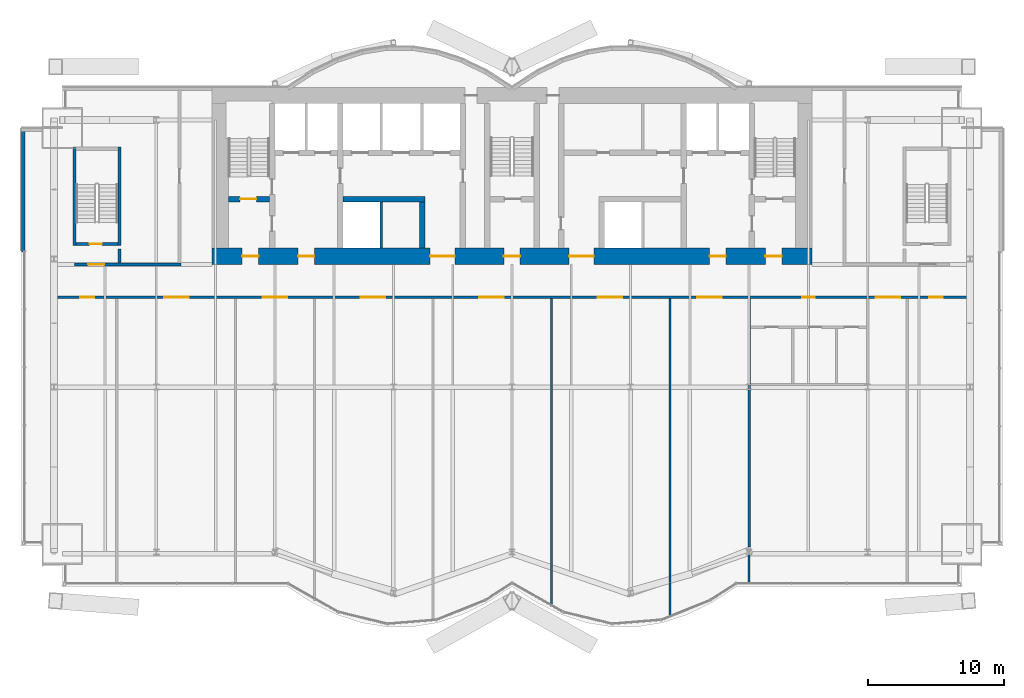
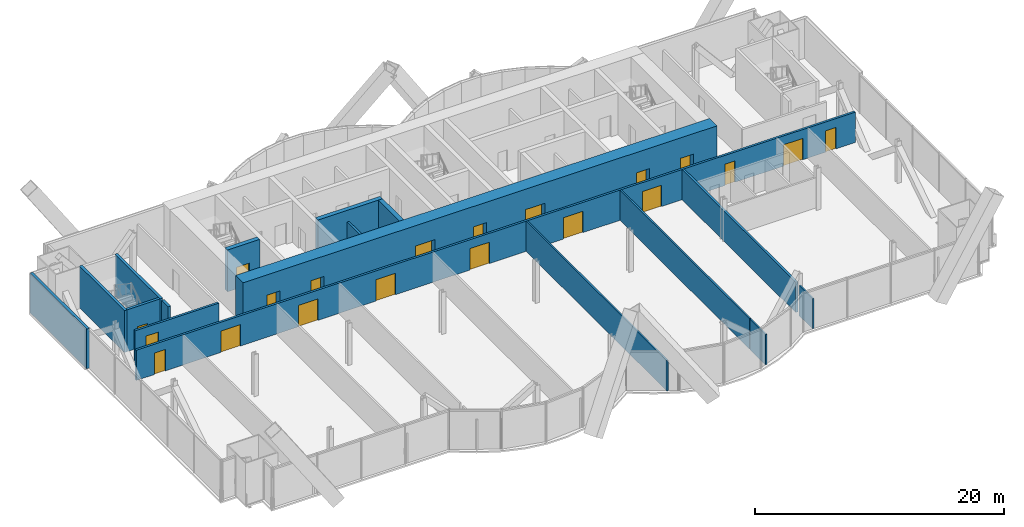
# One storey, part 15 of 21: 20 doors, 17 walls, 20 openings.
"""IFC4 building model written with IfcOpenShell, lengths in metres."""

from ifc_helpers import new_model, si_unit, direction, frame, frame_2d, origin, place, context, subcontext, project, spatial, rectangle, extrude, material, layer, layer_set, layer_usage, type_object, element, fill, save


model = new_model("IFC4")

# Units and contexts
model_context = context("Model", 3, precision=1e-05, world=origin(), true_north=direction((0.0, 1.0)))
body_context = subcontext(model_context, "Body", "Model", "MODEL_VIEW")
ifc_project = project(units=[si_unit("LENGTHUNIT", "METRE"), si_unit("AREAUNIT", "SQUARE_METRE"), si_unit("VOLUMEUNIT", "CUBIC_METRE"), si_unit("PLANEANGLEUNIT", "RADIAN"), si_unit("MASSUNIT", "GRAM", prefix="KILO")], contexts=[model_context])

# Site, building, storey
site_placement = place(None, origin())
site = spatial("IfcSite", under=ifc_project, at=site_placement, CompositionType="ELEMENT")
building_placement = place(site_placement, origin())
building = spatial("IfcBuilding", under=site, at=building_placement, Name="Bicima Exchange Tower", CompositionType="ELEMENT")
storey_placement = place(building_placement, frame((0.0, 0.0, 130.89990234375)))
storey = spatial("IfcBuildingStorey", under=building, at=storey_placement, Name="L28", CompositionType="ELEMENT", Elevation=130.89990234375)

# Wall
ifc_material_1 = material(Name="Gypsum board partition")
ifc_layer_1 = layer(ifc_material_1, 0.199951171875)
ifc_layer_set_1 = layer_set([ifc_layer_1], Name="Gypsum board partition")
wall_type_1 = type_object("IfcWallType", Name="Fire-rated gypsum partition 200 EI120", PredefinedType="PARTITIONING", material=ifc_layer_set_1)
wall_1_placement = place(storey_placement, frame((-9.60009765625, -11.800048828125, 0.0), z_axis=(0.0, 0.0, 1.0), x_axis=(0.0, 1.0, 0.0)))
element("IfcWall", 1, at=wall_1_placement, inside=storey, type_object=wall_type_1, Name="partition wall 11", PredefinedType="PARTITIONING", context=body_context, shape_type="SweptSolid", body=[
    extrude(rectangle(XDim=3.400146484375, YDim=0.199951171875, at=frame_2d((1.7001953125, 0.0))), origin(), (0.0, 0.0, 1.0), 2.96826171875),
])

# Wall, openings, doors
ifc_layer_2 = layer(ifc_material_1, 0.199951171875)
ifc_layer_set_2 = layer_set([ifc_layer_2], Name="Gypsum board partition")
wall_type_2 = type_object("IfcWallType", Name="Fire-rated gypsum partition 200 EI60", PredefinedType="PARTITIONING", material=ifc_layer_set_2)
wall_2_placement = place(storey_placement, frame((-33.3701171875, -15.39990234375, 0.0), z_axis=(0.0, 0.0, 1.0), x_axis=(1.0, 0.0, 0.0)))
wall_2 = element("IfcWall", 2, at=wall_2_placement, inside=storey, type_object=wall_type_2, Name="partition wall 3", PredefinedType="PARTITIONING", context=body_context, shape_type="SweptSolid", body=[
    extrude(rectangle(XDim=66.740234375, YDim=0.199951171875, at=frame_2d((33.3701171875, 0.0))), origin(), (0.0, 0.0, 1.0), 2.96826171875),
])
opening_1_placement = place(wall_2_placement, frame((1.699951171875, 0.0, 0.0)))
opening_1 = element("IfcOpeningElement", 3, at=opening_1_placement, cuts=wall_2, Name="Opening L28-007", PredefinedType="OPENING", context=body_context, shape_type="SweptSolid", body=[
    extrude(rectangle(XDim=1.0, YDim=2.10009765625, at=frame_2d((0.5, 1.050048828125))), frame((0.0, 0.11181640625, 0.0), z_axis=(0.0, -1.0, 0.0), x_axis=(1.0, 0.0, 0.0)), (0.0, 0.0, 1.0), 0.223876953125),
])
opening_2_placement = place(wall_2_placement, frame((7.8701171875, 0.0, 0.0)))
opening_2 = element("IfcOpeningElement", 4, at=opening_2_placement, cuts=wall_2, Name="Opening L28-008", PredefinedType="OPENING", context=body_context, shape_type="SweptSolid", body=[
    extrude(rectangle(XDim=1.800048828125, YDim=2.10009765625, at=frame_2d((0.89990234375, 1.050048828125))), frame((0.0, 0.11181640625, 0.0), z_axis=(0.0, -1.0, 0.0), x_axis=(1.0, 0.0, 0.0)), (0.0, 0.0, 1.0), 0.223876953125),
])
opening_3_placement = place(wall_2_placement, frame((15.070068359375, 0.0, 0.0)))
opening_3 = element("IfcOpeningElement", 5, at=opening_3_placement, cuts=wall_2, Name="Opening L28-009", PredefinedType="OPENING", context=body_context, shape_type="SweptSolid", body=[
    extrude(rectangle(XDim=1.800048828125, YDim=2.10009765625, at=frame_2d((0.89990234375, 1.050048828125))), frame((0.0, 0.11181640625, 0.0), z_axis=(0.0, -1.0, 0.0), x_axis=(1.0, 0.0, 0.0)), (0.0, 0.0, 1.0), 0.223876953125),
])
opening_4_placement = place(wall_2_placement, frame((22.27001953125, 0.0, 0.0)))
opening_4 = element("IfcOpeningElement", 6, at=opening_4_placement, cuts=wall_2, Name="Opening L28-010", PredefinedType="OPENING", context=body_context, shape_type="SweptSolid", body=[
    extrude(rectangle(XDim=1.800048828125, YDim=2.10009765625, at=frame_2d((0.89990234375, 1.050048828125))), frame((0.0, 0.11181640625, 0.0), z_axis=(0.0, -1.0, 0.0), x_axis=(1.0, 0.0, 0.0)), (0.0, 0.0, 1.0), 0.223876953125),
])
opening_5_placement = place(wall_2_placement, frame((30.969970703125, 0.0, 0.0)))
opening_5 = element("IfcOpeningElement", 7, at=opening_5_placement, cuts=wall_2, Name="Opening L28-011", PredefinedType="OPENING", context=body_context, shape_type="SweptSolid", body=[
    extrude(rectangle(XDim=1.800048828125, YDim=2.10009765625, at=frame_2d((0.89990234375, 1.050048828125))), frame((0.0, 0.11181640625, 0.0), z_axis=(0.0, -1.0, 0.0), x_axis=(1.0, 0.0, 0.0)), (0.0, 0.0, 1.0), 0.223876953125),
])
opening_6_placement = place(wall_2_placement, frame((39.669921875, 0.0, 0.0)))
opening_6 = element("IfcOpeningElement", 8, at=opening_6_placement, cuts=wall_2, Name="Opening L28-012", PredefinedType="OPENING", context=body_context, shape_type="SweptSolid", body=[
    extrude(rectangle(XDim=1.800048828125, YDim=2.10009765625, at=frame_2d((0.89990234375, 1.050048828125))), frame((0.0, 0.11181640625, 0.0), z_axis=(0.0, -1.0, 0.0), x_axis=(1.0, 0.0, 0.0)), (0.0, 0.0, 1.0), 0.223876953125),
])
opening_7_placement = place(wall_2_placement, frame((46.969970703125, 0.0, 0.0)))
opening_7 = element("IfcOpeningElement", 9, at=opening_7_placement, cuts=wall_2, Name="Opening L28-013", PredefinedType="OPENING", context=body_context, shape_type="SweptSolid", body=[
    extrude(rectangle(XDim=1.800048828125, YDim=2.10009765625, at=frame_2d((0.89990234375, 1.050048828125))), frame((0.0, 0.11181640625, 0.0), z_axis=(0.0, -1.0, 0.0), x_axis=(1.0, 0.0, 0.0)), (0.0, 0.0, 1.0), 0.223876953125),
])
opening_8_placement = place(wall_2_placement, frame((54.669921875, 0.0, 0.0)))
opening_8 = element("IfcOpeningElement", 10, at=opening_8_placement, cuts=wall_2, Name="Opening L28-014", PredefinedType="OPENING", context=body_context, shape_type="SweptSolid", body=[
    extrude(rectangle(XDim=0.89990234375, YDim=2.10009765625, at=frame_2d((0.449951171875, 1.050048828125))), frame((0.0, 0.11181640625, 0.0), z_axis=(0.0, -1.0, 0.0), x_axis=(1.0, 0.0, 0.0)), (0.0, 0.0, 1.0), 0.223876953125),
])
opening_9_placement = place(wall_2_placement, frame((60.070068359375, 0.0, 0.0)))
opening_9 = element("IfcOpeningElement", 11, at=opening_9_placement, cuts=wall_2, Name="Opening L28-018", PredefinedType="OPENING", context=body_context, shape_type="SweptSolid", body=[
    extrude(rectangle(XDim=1.800048828125, YDim=2.10009765625, at=frame_2d((0.89990234375, 1.050048828125))), frame((0.0, 0.11181640625, 0.0), z_axis=(0.0, -1.0, 0.0), x_axis=(1.0, 0.0, 0.0)), (0.0, 0.0, 1.0), 0.223876953125),
])
opening_10_placement = place(wall_2_placement, frame((63.969970703125, 0.0, 0.0)))
opening_10 = element("IfcOpeningElement", 12, at=opening_10_placement, cuts=wall_2, Name="Opening L28-019", PredefinedType="OPENING", context=body_context, shape_type="SweptSolid", body=[
    extrude(rectangle(XDim=1.0, YDim=2.10009765625, at=frame_2d((0.5, 1.050048828125))), frame((0.0, 0.11181640625, 0.0), z_axis=(0.0, -1.0, 0.0), x_axis=(1.0, 0.0, 0.0)), (0.0, 0.0, 1.0), 0.223876953125),
])
ifc_material_2 = material(Name="Steel fire door leaf", Category="steel")
door_type_1 = type_object("IfcDoorType", Name="Door 1000 swing FD30S", OperationType="SINGLE_SWING_LEFT", PredefinedType="DOOR", material=ifc_material_2)
door_1_placement = place(opening_1_placement, frame((1.0, 0.0, 0.0), z_axis=(0.0, 0.0, 1.0), x_axis=(-1.0, 0.0, 0.0)))
door_1 = element("IfcDoor", 13, at=door_1_placement, inside=storey, type_object=door_type_1, Name="Door", OperationType="SINGLE_SWING_LEFT", OverallHeight=2.10009765625, OverallWidth=1.0, PredefinedType="DOOR", context=body_context, shape_type="SweptSolid", body=[
    extrude(rectangle(XDim=1.0, YDim=2.10009765625, at=frame_2d((0.5, 1.050048828125))), frame((0.0, 0.02490234375, 0.0), z_axis=(0.0, -1.0, 0.0), x_axis=(1.0, 0.0, 0.0)), (0.0, 0.0, 1.0), 0.050048828125),
])
fill(opening_1, door_1)
door_2_placement = place(opening_10_placement, frame((1.0, 0.0, 0.0), z_axis=(0.0, 0.0, 1.0), x_axis=(-1.0, 0.0, 0.0)))
door_2 = element("IfcDoor", 14, at=door_2_placement, inside=storey, type_object=door_type_1, Name="Door", OperationType="SINGLE_SWING_LEFT", OverallHeight=2.10009765625, OverallWidth=1.0, PredefinedType="DOOR", context=body_context, shape_type="SweptSolid", body=[
    extrude(rectangle(XDim=1.0, YDim=2.10009765625, at=frame_2d((0.5, 1.050048828125))), frame((0.0, 0.02490234375, 0.0), z_axis=(0.0, -1.0, 0.0), x_axis=(1.0, 0.0, 0.0)), (0.0, 0.0, 1.0), 0.050048828125),
])
fill(opening_10, door_2)
door_type_2 = type_object("IfcDoorType", Name="Door 1800 double swing FD30S", OperationType="DOUBLE_DOOR_SINGLE_SWING", PredefinedType="DOOR", material=ifc_material_2)
door_3_placement = place(opening_2_placement, origin())
door_3 = element("IfcDoor", 15, at=door_3_placement, inside=storey, type_object=door_type_2, Name="Door", OperationType="SINGLE_SWING_LEFT", OverallHeight=2.10009765625, OverallWidth=1.800048828125, PredefinedType="DOOR", context=body_context, shape_type="SweptSolid", body=[
    extrude(rectangle(XDim=1.800048828125, YDim=2.10009765625, at=frame_2d((0.89990234375, 1.050048828125))), frame((0.0, 0.02490234375, 0.0), z_axis=(0.0, -1.0, 0.0), x_axis=(1.0, 0.0, 0.0)), (0.0, 0.0, 1.0), 0.050048828125),
])
fill(opening_2, door_3)
door_4_placement = place(opening_3_placement, origin())
door_4 = element("IfcDoor", 16, at=door_4_placement, inside=storey, type_object=door_type_2, Name="Door", OperationType="SINGLE_SWING_LEFT", OverallHeight=2.10009765625, OverallWidth=1.800048828125, PredefinedType="DOOR", context=body_context, shape_type="SweptSolid", body=[
    extrude(rectangle(XDim=1.800048828125, YDim=2.10009765625, at=frame_2d((0.89990234375, 1.050048828125))), frame((0.0, 0.02490234375, 0.0), z_axis=(0.0, -1.0, 0.0), x_axis=(1.0, 0.0, 0.0)), (0.0, 0.0, 1.0), 0.050048828125),
])
fill(opening_3, door_4)
door_5_placement = place(opening_4_placement, origin())
door_5 = element("IfcDoor", 17, at=door_5_placement, inside=storey, type_object=door_type_2, Name="Door", OperationType="SINGLE_SWING_LEFT", OverallHeight=2.10009765625, OverallWidth=1.800048828125, PredefinedType="DOOR", context=body_context, shape_type="SweptSolid", body=[
    extrude(rectangle(XDim=1.800048828125, YDim=2.10009765625, at=frame_2d((0.89990234375, 1.050048828125))), frame((0.0, 0.02490234375, 0.0), z_axis=(0.0, -1.0, 0.0), x_axis=(1.0, 0.0, 0.0)), (0.0, 0.0, 1.0), 0.050048828125),
])
fill(opening_4, door_5)
door_6_placement = place(opening_5_placement, origin())
door_6 = element("IfcDoor", 18, at=door_6_placement, inside=storey, type_object=door_type_2, Name="Door", OperationType="SINGLE_SWING_LEFT", OverallHeight=2.10009765625, OverallWidth=1.800048828125, PredefinedType="DOOR", context=body_context, shape_type="SweptSolid", body=[
    extrude(rectangle(XDim=1.800048828125, YDim=2.10009765625, at=frame_2d((0.89990234375, 1.050048828125))), frame((0.0, 0.02490234375, 0.0), z_axis=(0.0, -1.0, 0.0), x_axis=(1.0, 0.0, 0.0)), (0.0, 0.0, 1.0), 0.050048828125),
])
fill(opening_5, door_6)
door_7_placement = place(opening_6_placement, origin())
door_7 = element("IfcDoor", 19, at=door_7_placement, inside=storey, type_object=door_type_2, Name="Door", OperationType="SINGLE_SWING_LEFT", OverallHeight=2.10009765625, OverallWidth=1.800048828125, PredefinedType="DOOR", context=body_context, shape_type="SweptSolid", body=[
    extrude(rectangle(XDim=1.800048828125, YDim=2.10009765625, at=frame_2d((0.89990234375, 1.050048828125))), frame((0.0, 0.02490234375, 0.0), z_axis=(0.0, -1.0, 0.0), x_axis=(1.0, 0.0, 0.0)), (0.0, 0.0, 1.0), 0.050048828125),
])
fill(opening_6, door_7)
door_8_placement = place(opening_7_placement, origin())
door_8 = element("IfcDoor", 20, at=door_8_placement, inside=storey, type_object=door_type_2, Name="Door", OperationType="SINGLE_SWING_LEFT", OverallHeight=2.10009765625, OverallWidth=1.800048828125, PredefinedType="DOOR", context=body_context, shape_type="SweptSolid", body=[
    extrude(rectangle(XDim=1.800048828125, YDim=2.10009765625, at=frame_2d((0.89990234375, 1.050048828125))), frame((0.0, 0.02490234375, 0.0), z_axis=(0.0, -1.0, 0.0), x_axis=(1.0, 0.0, 0.0)), (0.0, 0.0, 1.0), 0.050048828125),
])
fill(opening_7, door_8)
door_9_placement = place(opening_9_placement, origin())
door_9 = element("IfcDoor", 21, at=door_9_placement, inside=storey, type_object=door_type_2, Name="Door", OperationType="SINGLE_SWING_LEFT", OverallHeight=2.10009765625, OverallWidth=1.800048828125, PredefinedType="DOOR", context=body_context, shape_type="SweptSolid", body=[
    extrude(rectangle(XDim=1.800048828125, YDim=2.10009765625, at=frame_2d((0.89990234375, 1.050048828125))), frame((0.0, 0.02490234375, 0.0), z_axis=(0.0, -1.0, 0.0), x_axis=(1.0, 0.0, 0.0)), (0.0, 0.0, 1.0), 0.050048828125),
])
fill(opening_9, door_9)
door_type_3 = type_object("IfcDoorType", Name="Door 900 swing FD30S", OperationType="SINGLE_SWING_LEFT", PredefinedType="DOOR", material=ifc_material_2)
door_10_placement = place(opening_8_placement, frame((0.89990234375, 0.0, 0.0), z_axis=(0.0, 0.0, 1.0), x_axis=(-1.0, 0.0, 0.0)))
door_10 = element("IfcDoor", 22, at=door_10_placement, inside=storey, type_object=door_type_3, Name="Door", OperationType="SINGLE_SWING_RIGHT", OverallHeight=2.10009765625, OverallWidth=0.89990234375, PredefinedType="DOOR", context=body_context, shape_type="SweptSolid", body=[
    extrude(rectangle(XDim=0.89990234375, YDim=2.10009765625, at=frame_2d((0.449951171875, 1.050048828125))), frame((0.0, 0.02490234375, 0.0), z_axis=(0.0, -1.0, 0.0), x_axis=(1.0, 0.0, 0.0)), (0.0, 0.0, 1.0), 0.050048828125),
])
fill(opening_8, door_10)

# Wall, opening, door
wall_3_placement = place(storey_placement, frame((-32.10009765625, -13.0, 0.0), z_axis=(0.0, 0.0, 1.0), x_axis=(1.0, 0.0, 0.0)))
wall_3 = element("IfcWall", 23, at=wall_3_placement, inside=storey, type_object=wall_type_2, Name="partition wall 4", PredefinedType="PARTITIONING", context=body_context, shape_type="SweptSolid", body=[
    extrude(rectangle(XDim=7.800048828125, YDim=0.199951171875, at=frame_2d((3.89990234375, 0.0))), origin(), (0.0, 0.0, 1.0), 2.96826171875),
])
opening_11_placement = place(wall_3_placement, frame((1.0, 0.0, 0.0)))
opening_11 = element("IfcOpeningElement", 24, at=opening_11_placement, cuts=wall_3, Name="Opening L28-001", PredefinedType="OPENING", context=body_context, shape_type="SweptSolid", body=[
    extrude(rectangle(XDim=1.199951171875, YDim=2.10009765625, at=frame_2d((0.60009765625, 1.050048828125))), frame((0.0, 0.11181640625, 0.0), z_axis=(0.0, -1.0, 0.0), x_axis=(1.0, 0.0, 0.0)), (0.0, 0.0, 1.0), 0.223876953125),
])
door_type_4 = type_object("IfcDoorType", Name="Door 1200 swing FD30S", OperationType="SINGLE_SWING_LEFT", PredefinedType="DOOR", material=ifc_material_2)
door_11_placement = place(opening_11_placement, origin())
door_11 = element("IfcDoor", 25, at=door_11_placement, inside=storey, type_object=door_type_4, Name="Door", OperationType="SINGLE_SWING_LEFT", OverallHeight=2.10009765625, OverallWidth=1.199951171875, PredefinedType="DOOR", context=body_context, shape_type="SweptSolid", body=[
    extrude(rectangle(XDim=1.199951171875, YDim=2.10009765625, at=frame_2d((0.60009765625, 1.050048828125))), frame((0.0, 0.02490234375, 0.0), z_axis=(0.0, -1.0, 0.0), x_axis=(1.0, 0.0, 0.0)), (0.0, 0.0, 1.0), 0.050048828125),
])
fill(opening_11, door_11)

# Walls
wall_4_placement = place(storey_placement, frame((17.39990234375, -33.744140625, 0.0), z_axis=(0.0, 0.0, 1.0), x_axis=(0.0, 1.0, 0.0)))
element("IfcWall", 26, at=wall_4_placement, inside=storey, type_object=wall_type_2, Name="partition wall 24", PredefinedType="PARTITIONING", context=body_context, shape_type="SweptSolid", body=[
    extrude(rectangle(XDim=18.244140625, YDim=0.199951171875, at=frame_2d((9.1220703125, 0.0))), origin(), (0.0, 0.0, 1.0), 2.96826171875),
])
ifc_layer_3 = layer(ifc_material_1, 0.14990234375)
ifc_layer_set_3 = layer_set([ifc_layer_3], Name="Gypsum board partition")
wall_type_3 = type_object("IfcWallType", Name="Gypsum partition 150", PredefinedType="PARTITIONING", material=ifc_layer_set_3)
wall_5_placement = place(storey_placement, frame((2.89990234375, -38.10009765625, 0.0), z_axis=(0.0, 0.0, 1.0), x_axis=(0.0, 1.0, 0.0)))
element("IfcWall", 27, at=wall_5_placement, inside=storey, type_object=wall_type_3, Name="partition wall 20", PredefinedType="PARTITIONING", context=body_context, shape_type="SweptSolid", body=[
    extrude(rectangle(XDim=22.60009765625, YDim=0.14990234375, at=frame_2d((11.300048828125, 0.0))), origin(), (0.0, 0.0, 1.0), 2.96826171875),
])
wall_6_placement = place(storey_placement, frame((11.60009765625, -38.8798828125, 0.0), z_axis=(0.0, 0.0, 1.0), x_axis=(0.0, 1.0, 0.0)))
element("IfcWall", 28, at=wall_6_placement, inside=storey, type_object=wall_type_3, Name="partition wall 21", PredefinedType="PARTITIONING", context=body_context, shape_type="SweptSolid", body=[
    extrude(rectangle(XDim=2.497802734375, YDim=0.14990234375, at=frame_2d((1.2490234375, 0.0))), origin(), (0.0, 0.0, 1.0), 2.96826171875),
])
wall_7_placement = place(storey_placement, frame((11.60009765625, -36.319091796875, 0.0), z_axis=(0.0, 0.0, 1.0), x_axis=(0.0, 1.0, 0.0)))
element("IfcWall", 29, at=wall_7_placement, inside=storey, type_object=wall_type_3, Name="partition wall 22", PredefinedType="PARTITIONING", context=body_context, shape_type="SweptSolid", body=[
    extrude(rectangle(XDim=20.819091796875, YDim=0.14990234375, at=frame_2d((10.40966796875, 0.0))), origin(), (0.0, 0.0, 1.0), 2.96826171875),
])
wall_8_placement = place(storey_placement, frame((17.39990234375, -36.419921875, 0.0), z_axis=(0.0, 0.0, 1.0), x_axis=(0.0, 1.0, 0.0)))
element("IfcWall", 30, at=wall_8_placement, inside=storey, type_object=wall_type_3, Name="partition wall 23", PredefinedType="PARTITIONING", context=body_context, shape_type="SweptSolid", body=[
    extrude(rectangle(XDim=2.18798828125, YDim=0.14990234375, at=frame_2d((1.093994140625, 0.0))), origin(), (0.0, 0.0, 1.0), 2.96826171875),
])

# Wall, openings, doors
ifc_material_3 = material(Name="Concrete C60/75", Category="concrete")
ifc_layer_4 = layer(ifc_material_3, 1.199951171875)
ifc_layer_set_4 = layer_set([ifc_layer_4], Name="Concrete C60/75")
wall_type_4 = type_object("IfcWallType", Name="RC core wall 1200 C60/75", PredefinedType="SHEAR", material=ifc_layer_set_4)
wall_9_placement = place(storey_placement, frame((-22.0, -12.39990234375, 0.0), z_axis=(0.0, 0.0, 1.0), x_axis=(1.0, 0.0, 0.0)))
wall_9 = element("IfcWall", 31, at=wall_9_placement, inside=storey, type_object=wall_type_4, Name="Core wall south", PredefinedType="SHEAR", context=body_context, shape_type="SweptSolid", body=[
    extrude(rectangle(XDim=44.0, YDim=1.199951171875, at=frame_2d((22.0, 0.0))), origin(), (0.0, 0.0, 1.0), 4.10009765625),
])
opening_12_placement = place(wall_9_placement, frame((2.199951171875, 0.0, 0.0)))
opening_12 = element("IfcOpeningElement", 32, at=opening_12_placement, cuts=wall_9, Name="Opening L28-C16", PredefinedType="OPENING", context=body_context, shape_type="SweptSolid", body=[
    extrude(rectangle(XDim=1.199951171875, YDim=2.10009765625, at=frame_2d((0.60009765625, 1.050048828125))), frame((0.0, 0.61181640625, 0.0), z_axis=(0.0, -1.0, 0.0), x_axis=(1.0, 0.0, 0.0)), (0.0, 0.0, 1.0), 1.223876953125),
])
opening_13_placement = place(wall_9_placement, frame((21.39990234375, 0.0, 0.0)))
opening_13 = element("IfcOpeningElement", 33, at=opening_13_placement, cuts=wall_9, Name="Opening L28-C17", PredefinedType="OPENING", context=body_context, shape_type="SweptSolid", body=[
    extrude(rectangle(XDim=1.199951171875, YDim=2.10009765625, at=frame_2d((0.60009765625, 1.050048828125))), frame((0.0, 0.61181640625, 0.0), z_axis=(0.0, -1.0, 0.0), x_axis=(1.0, 0.0, 0.0)), (0.0, 0.0, 1.0), 1.223876953125),
])
opening_14_placement = place(wall_9_placement, frame((40.60009765625, 0.0, 0.0)))
opening_14 = element("IfcOpeningElement", 34, at=opening_14_placement, cuts=wall_9, Name="Opening L28-C18", PredefinedType="OPENING", context=body_context, shape_type="SweptSolid", body=[
    extrude(rectangle(XDim=1.199951171875, YDim=2.10009765625, at=frame_2d((0.60009765625, 1.050048828125))), frame((0.0, 0.61181640625, 0.0), z_axis=(0.0, -1.0, 0.0), x_axis=(1.0, 0.0, 0.0)), (0.0, 0.0, 1.0), 1.223876953125),
])
opening_15_placement = place(wall_9_placement, frame((16.0, 0.0, 0.0)))
opening_15 = element("IfcOpeningElement", 35, at=opening_15_placement, cuts=wall_9, Name="Opening L28-C19", PredefinedType="OPENING", context=body_context, shape_type="SweptSolid", body=[
    extrude(rectangle(XDim=1.800048828125, YDim=2.10009765625, at=frame_2d((0.89990234375, 1.050048828125))), frame((0.0, 0.61181640625, 0.0), z_axis=(0.0, -1.0, 0.0), x_axis=(1.0, 0.0, 0.0)), (0.0, 0.0, 1.0), 1.223876953125),
])
opening_16_placement = place(wall_9_placement, frame((6.300048828125, 0.0, 0.0)))
opening_16 = element("IfcOpeningElement", 36, at=opening_16_placement, cuts=wall_9, Name="Opening L28-C20", PredefinedType="OPENING", context=body_context, shape_type="SweptSolid", body=[
    extrude(rectangle(XDim=1.199951171875, YDim=2.10009765625, at=frame_2d((0.60009765625, 1.050048828125))), frame((0.0, 0.61181640625, 0.0), z_axis=(0.0, -1.0, 0.0), x_axis=(1.0, 0.0, 0.0)), (0.0, 0.0, 1.0), 1.223876953125),
])
opening_17_placement = place(wall_9_placement, frame((26.199951171875, 0.0, 0.0)))
opening_17 = element("IfcOpeningElement", 37, at=opening_17_placement, cuts=wall_9, Name="Opening L28-C21", PredefinedType="OPENING", context=body_context, shape_type="SweptSolid", body=[
    extrude(rectangle(XDim=1.800048828125, YDim=2.10009765625, at=frame_2d((0.89990234375, 1.050048828125))), frame((0.0, 0.61181640625, 0.0), z_axis=(0.0, -1.0, 0.0), x_axis=(1.0, 0.0, 0.0)), (0.0, 0.0, 1.0), 1.223876953125),
])
opening_18_placement = place(wall_9_placement, frame((36.5, 0.0, 0.0)))
opening_18 = element("IfcOpeningElement", 38, at=opening_18_placement, cuts=wall_9, Name="Opening L28-C22", PredefinedType="OPENING", context=body_context, shape_type="SweptSolid", body=[
    extrude(rectangle(XDim=1.199951171875, YDim=2.10009765625, at=frame_2d((0.60009765625, 1.050048828125))), frame((0.0, 0.61181640625, 0.0), z_axis=(0.0, -1.0, 0.0), x_axis=(1.0, 0.0, 0.0)), (0.0, 0.0, 1.0), 1.223876953125),
])
door_type_5 = type_object("IfcDoorType", Name="Door 1200 swing FD60S", OperationType="SINGLE_SWING_LEFT", PredefinedType="DOOR", material=ifc_material_2)
door_12_placement = place(opening_12_placement, frame((1.199951171875, 0.0, 0.0), z_axis=(0.0, 0.0, 1.0), x_axis=(-1.0, 0.0, 0.0)))
door_12 = element("IfcDoor", 39, at=door_12_placement, inside=storey, type_object=door_type_5, Name="Core door", OperationType="SINGLE_SWING_RIGHT", OverallHeight=2.10009765625, OverallWidth=1.199951171875, PredefinedType="DOOR", context=body_context, shape_type="SweptSolid", body=[
    extrude(rectangle(XDim=1.199951171875, YDim=2.10009765625, at=frame_2d((0.60009765625, 1.050048828125))), frame((0.0, 0.02490234375, 0.0), z_axis=(0.0, -1.0, 0.0), x_axis=(1.0, 0.0, 0.0)), (0.0, 0.0, 1.0), 0.050048828125),
])
fill(opening_12, door_12)
door_13_placement = place(opening_13_placement, frame((1.199951171875, 0.0, 0.0), z_axis=(0.0, 0.0, 1.0), x_axis=(-1.0, 0.0, 0.0)))
door_13 = element("IfcDoor", 40, at=door_13_placement, inside=storey, type_object=door_type_5, Name="Core door", OperationType="SINGLE_SWING_RIGHT", OverallHeight=2.10009765625, OverallWidth=1.199951171875, PredefinedType="DOOR", context=body_context, shape_type="SweptSolid", body=[
    extrude(rectangle(XDim=1.199951171875, YDim=2.10009765625, at=frame_2d((0.60009765625, 1.050048828125))), frame((0.0, 0.02490234375, 0.0), z_axis=(0.0, -1.0, 0.0), x_axis=(1.0, 0.0, 0.0)), (0.0, 0.0, 1.0), 0.050048828125),
])
fill(opening_13, door_13)
door_14_placement = place(opening_14_placement, frame((1.199951171875, 0.0, 0.0), z_axis=(0.0, 0.0, 1.0), x_axis=(-1.0, 0.0, 0.0)))
door_14 = element("IfcDoor", 41, at=door_14_placement, inside=storey, type_object=door_type_5, Name="Core door", OperationType="SINGLE_SWING_RIGHT", OverallHeight=2.10009765625, OverallWidth=1.199951171875, PredefinedType="DOOR", context=body_context, shape_type="SweptSolid", body=[
    extrude(rectangle(XDim=1.199951171875, YDim=2.10009765625, at=frame_2d((0.60009765625, 1.050048828125))), frame((0.0, 0.02490234375, 0.0), z_axis=(0.0, -1.0, 0.0), x_axis=(1.0, 0.0, 0.0)), (0.0, 0.0, 1.0), 0.050048828125),
])
fill(opening_14, door_14)
door_15_placement = place(opening_16_placement, frame((1.199951171875, 0.0, 0.0), z_axis=(0.0, 0.0, 1.0), x_axis=(-1.0, 0.0, 0.0)))
door_15 = element("IfcDoor", 42, at=door_15_placement, inside=storey, type_object=door_type_5, Name="Core door", OperationType="SINGLE_SWING_RIGHT", OverallHeight=2.10009765625, OverallWidth=1.199951171875, PredefinedType="DOOR", context=body_context, shape_type="SweptSolid", body=[
    extrude(rectangle(XDim=1.199951171875, YDim=2.10009765625, at=frame_2d((0.60009765625, 1.050048828125))), frame((0.0, 0.02490234375, 0.0), z_axis=(0.0, -1.0, 0.0), x_axis=(1.0, 0.0, 0.0)), (0.0, 0.0, 1.0), 0.050048828125),
])
fill(opening_16, door_15)
door_16_placement = place(opening_18_placement, frame((1.199951171875, 0.0, 0.0), z_axis=(0.0, 0.0, 1.0), x_axis=(-1.0, 0.0, 0.0)))
door_16 = element("IfcDoor", 43, at=door_16_placement, inside=storey, type_object=door_type_5, Name="Core door", OperationType="SINGLE_SWING_RIGHT", OverallHeight=2.10009765625, OverallWidth=1.199951171875, PredefinedType="DOOR", context=body_context, shape_type="SweptSolid", body=[
    extrude(rectangle(XDim=1.199951171875, YDim=2.10009765625, at=frame_2d((0.60009765625, 1.050048828125))), frame((0.0, 0.02490234375, 0.0), z_axis=(0.0, -1.0, 0.0), x_axis=(1.0, 0.0, 0.0)), (0.0, 0.0, 1.0), 0.050048828125),
])
fill(opening_18, door_16)
door_17_placement = place(opening_15_placement, origin())
door_17 = element("IfcDoor", 44, at=door_17_placement, inside=storey, type_object=door_type_2, Name="Core door", OperationType="SINGLE_SWING_LEFT", OverallHeight=2.10009765625, OverallWidth=1.800048828125, PredefinedType="DOOR", context=body_context, shape_type="SweptSolid", body=[
    extrude(rectangle(XDim=1.800048828125, YDim=2.10009765625, at=frame_2d((0.89990234375, 1.050048828125))), frame((0.0, 0.02490234375, 0.0), z_axis=(0.0, -1.0, 0.0), x_axis=(1.0, 0.0, 0.0)), (0.0, 0.0, 1.0), 0.050048828125),
])
fill(opening_15, door_17)
door_18_placement = place(opening_17_placement, origin())
door_18 = element("IfcDoor", 45, at=door_18_placement, inside=storey, type_object=door_type_2, Name="Core door", OperationType="SINGLE_SWING_LEFT", OverallHeight=2.10009765625, OverallWidth=1.800048828125, PredefinedType="DOOR", context=body_context, shape_type="SweptSolid", body=[
    extrude(rectangle(XDim=1.800048828125, YDim=2.10009765625, at=frame_2d((0.89990234375, 1.050048828125))), frame((0.0, 0.02490234375, 0.0), z_axis=(0.0, -1.0, 0.0), x_axis=(1.0, 0.0, 0.0)), (0.0, 0.0, 1.0), 0.050048828125),
])
fill(opening_17, door_18)

# Wall
ifc_material_4 = material(Name="Concrete C50/60", Category="concrete")
ifc_layer_5 = layer(ifc_material_4, 0.25)
ifc_layer_set_5 = layer_set([ifc_layer_5], Name="Concrete C50/60")
wall_type_5 = type_object("IfcWallType", Name="RC core wall 250 C50/60", PredefinedType="SHEAR", material=ifc_layer_set_5)
wall_10_placement = place(storey_placement, frame((-28.800048828125, -12.89990234375, 0.0), z_axis=(0.0, 0.0, 1.0), x_axis=(0.0, 1.0, 0.0)))
element("IfcWall", 46, at=wall_10_placement, inside=storey, type_object=wall_type_5, Name="stair wall 14", PredefinedType="SHEAR", context=body_context, shape_type="SweptSolid", body=[
    extrude(rectangle(XDim=1.0498046875, YDim=0.25, at=frame_2d((0.52490234375, 0.0))), origin(), (0.0, 0.0, 1.0), 4.10009765625),
])

# Wall, opening, door
ifc_layer_6 = layer(ifc_material_4, 0.39990234375)
ifc_layer_set_6 = layer_set([ifc_layer_6], Name="Concrete C50/60")
wall_type_6 = type_object("IfcWallType", Name="RC core wall 400 C50/60", PredefinedType="SHEAR", material=ifc_layer_set_6)
wall_11_placement = place(storey_placement, frame((-20.800048828125, -8.199951171875, 0.0), z_axis=(0.0, 0.0, 1.0), x_axis=(1.0, 0.0, 0.0)))
wall_11 = element("IfcWall", 47, at=wall_11_placement, inside=storey, type_object=wall_type_6, Name="stair wall 1", PredefinedType="SHEAR", context=body_context, shape_type="SweptSolid", body=[
    extrude(rectangle(XDim=3.0, YDim=0.39990234375, at=frame_2d((1.5, 0.0))), origin(), (0.0, 0.0, 1.0), 4.10009765625),
])
opening_19_placement = place(wall_11_placement, frame((0.85009765625, 0.0, 0.0)))
opening_19 = element("IfcOpeningElement", 48, at=opening_19_placement, cuts=wall_11, Name="Opening L28-C01", PredefinedType="OPENING", context=body_context, shape_type="SweptSolid", body=[
    extrude(rectangle(XDim=1.199951171875, YDim=2.10009765625, at=frame_2d((0.60009765625, 1.050048828125))), frame((0.0, 0.2119140625, 0.0), z_axis=(0.0, -1.0, 0.0), x_axis=(1.0, 0.0, 0.0)), (0.0, 0.0, 1.0), 0.423828125),
])
door_19_placement = place(opening_19_placement, origin())
door_19 = element("IfcDoor", 49, at=door_19_placement, inside=storey, type_object=door_type_5, Name="Core door", OperationType="SINGLE_SWING_LEFT", OverallHeight=2.10009765625, OverallWidth=1.199951171875, PredefinedType="DOOR", context=body_context, shape_type="SweptSolid", body=[
    extrude(rectangle(XDim=1.199951171875, YDim=2.10009765625, at=frame_2d((0.60009765625, 1.050048828125))), frame((0.0, 0.02490234375, 0.0), z_axis=(0.0, -1.0, 0.0), x_axis=(1.0, 0.0, 0.0)), (0.0, 0.0, 1.0), 0.050048828125),
])
fill(opening_19, door_19)

# Walls
ifc_layer_7 = layer(ifc_material_3, 0.39990234375)
ifc_layer_set_7 = layer_set([ifc_layer_7], Name="Concrete C60/75")
wall_type_7 = type_object("IfcWallType", Name="RC core wall 400 C60/75", PredefinedType="SHEAR", material=ifc_layer_set_7)
wall_12_placement = place(storey_placement, frame((-12.39990234375, -8.199951171875, 0.0), z_axis=(0.0, 0.0, 1.0), x_axis=(1.0, 0.0, 0.0)))
element("IfcWall", 50, at=wall_12_placement, inside=storey, type_object=wall_type_7, Name="shear wall 2", PredefinedType="SHEAR", context=body_context, shape_type="SweptSolid", body=[
    extrude(rectangle(XDim=6.0, YDim=0.39990234375, at=frame_2d((3.0, 0.0))), origin(), (0.0, 0.0, 1.0), 4.10009765625),
])
wall_13_placement = place(storey_placement, frame((-6.60009765625, -11.800048828125, 0.0), z_axis=(0.0, 0.0, 1.0), x_axis=(0.0, 1.0, 0.0)))
element("IfcWall", 51, at=wall_13_placement, inside=storey, type_object=wall_type_7, Name="shear wall 13", PredefinedType="SHEAR", context=body_context, shape_type="SweptSolid", body=[
    extrude(rectangle(XDim=3.400146484375, YDim=0.39990234375, at=frame_2d((1.7001953125, 0.0))), origin(), (0.0, 0.0, 1.0), 4.10009765625),
])
ifc_layer_8 = layer(ifc_material_4, 0.25)
ifc_layer_set_8 = layer_set([ifc_layer_8], Name="Concrete C50/60")
wall_type_8 = type_object("IfcWallType", Name="RC stair enclosure wall 250 C50/60", PredefinedType="SHEAR", material=ifc_layer_set_8)
for number, where, z_axis, x_axis, name in (
    (52, (-32.10009765625, -11.625, 0.0), (0.0, 0.0, 1.0), (0.0, 1.0, 0.0), "West end exit stair wall W"),
    (53, (-28.800048828125, -11.625, 0.0), (0.0, 0.0, 1.0), (0.0, 1.0, 0.0), "West end exit stair wall E"),
):
    element("IfcWall", number, at=place(storey_placement, frame(where, z_axis=z_axis, x_axis=x_axis)), inside=storey, type_object=wall_type_8, Name=name, PredefinedType="SHEAR", context=body_context, shape_type="SweptSolid", body=[
        extrude(rectangle(XDim=7.25, YDim=0.25, at=frame_2d((3.625, 0.0))), origin(), (0.0, 0.0, 1.0), 4.10009765625),
    ])

# Wall, opening, door
wall_14_placement = place(storey_placement, frame((-31.97509765625, -11.5, 0.0), z_axis=(0.0, 0.0, 1.0), x_axis=(1.0, 0.0, 0.0)))
wall_14 = element("IfcWall", 54, at=wall_14_placement, inside=storey, type_object=wall_type_8, Name="West end exit stair wall S", PredefinedType="SHEAR", context=body_context, shape_type="SweptSolid", body=[
    extrude(rectangle(XDim=3.050048828125, YDim=0.25, at=frame_2d((1.52490234375, 0.0))), origin(), (0.0, 0.0, 1.0), 4.10009765625),
])
opening_20_placement = place(wall_14_placement, frame((0.97509765625, 0.0, 0.0)))
opening_20 = element("IfcOpeningElement", 55, at=opening_20_placement, cuts=wall_14, Name="Opening L28-002", PredefinedType="OPENING", context=body_context, shape_type="SweptSolid", body=[
    extrude(rectangle(XDim=0.89990234375, YDim=2.10009765625, at=frame_2d((0.449951171875, 1.050048828125))), frame((0.0, 0.136962890625, 0.0), z_axis=(0.0, -1.0, 0.0), x_axis=(1.0, 0.0, 0.0)), (0.0, 0.0, 1.0), 0.27392578125),
])
door_type_6 = type_object("IfcDoorType", Name="Door 900 swing FD60S", OperationType="SINGLE_SWING_LEFT", PredefinedType="DOOR", material=ifc_material_2)
door_20_placement = place(opening_20_placement, origin())
door_20 = element("IfcDoor", 56, at=door_20_placement, inside=storey, type_object=door_type_6, Name="Door", OperationType="SINGLE_SWING_LEFT", OverallHeight=2.10009765625, OverallWidth=0.89990234375, PredefinedType="DOOR", context=body_context, shape_type="SweptSolid", body=[
    extrude(rectangle(XDim=0.89990234375, YDim=2.10009765625, at=frame_2d((0.449951171875, 1.050048828125))), frame((0.0, 0.02490234375, 0.0), z_axis=(0.0, -1.0, 0.0), x_axis=(1.0, 0.0, 0.0)), (0.0, 0.0, 1.0), 0.050048828125),
])
fill(opening_20, door_20)

# Wall
ifc_material_5 = material(Name="Concrete C40/50", Category="concrete")
ifc_layer_9 = layer(ifc_material_5, 0.25)
ifc_layer_set_9 = layer_set([ifc_layer_9], Name="Concrete C40/50")
ifc_layer_usage = layer_usage(ifc_layer_set_9, "AXIS2", "POSITIVE", -0.125)
wall_type_9 = type_object("IfcWallType", Name="Rear backup wall 250", PredefinedType="STANDARD", material=ifc_layer_set_9)
wall_15_placement = place(storey_placement, frame((-35.875, -3.0, 0.0), z_axis=(0.0, 0.0, 1.0), x_axis=(0.0, -1.0, 0.0)))
element("IfcWall", 57, at=wall_15_placement, inside=storey, type_object=wall_type_9, material=ifc_layer_usage, Name="Rear backup wall L28 23", PredefinedType="STANDARD", context=body_context, shape_type="SweptSolid", body=[
    extrude(rectangle(XDim=9.090087890625, YDim=0.25, at=frame_2d((4.544921875, 0.0))), origin(), (0.0, 0.0, 1.0), 3.900146484375),
])

save(model, "model.ifc")
